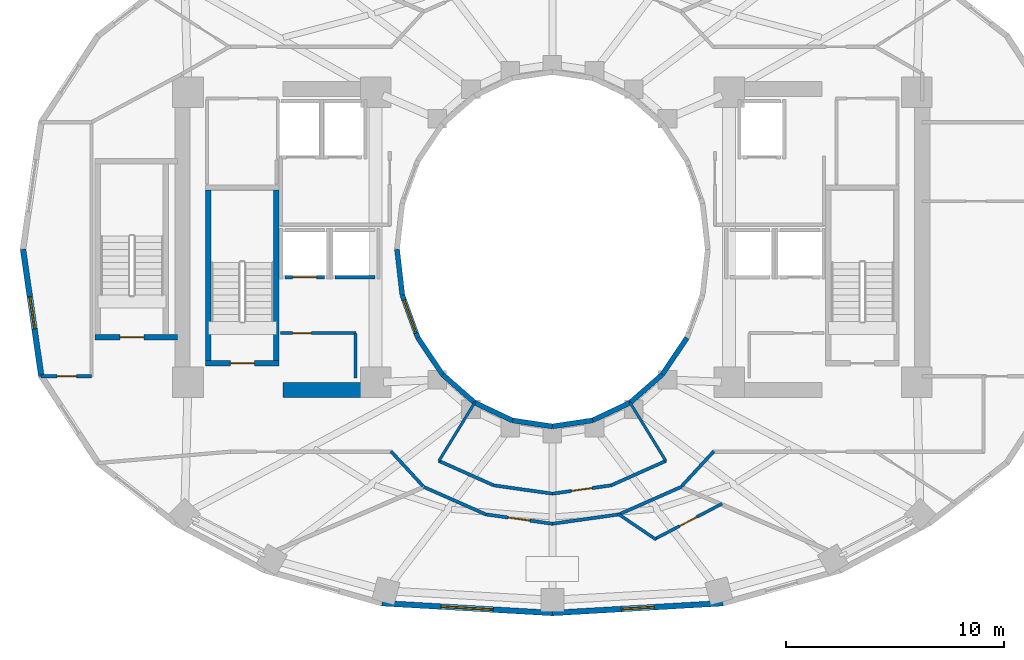
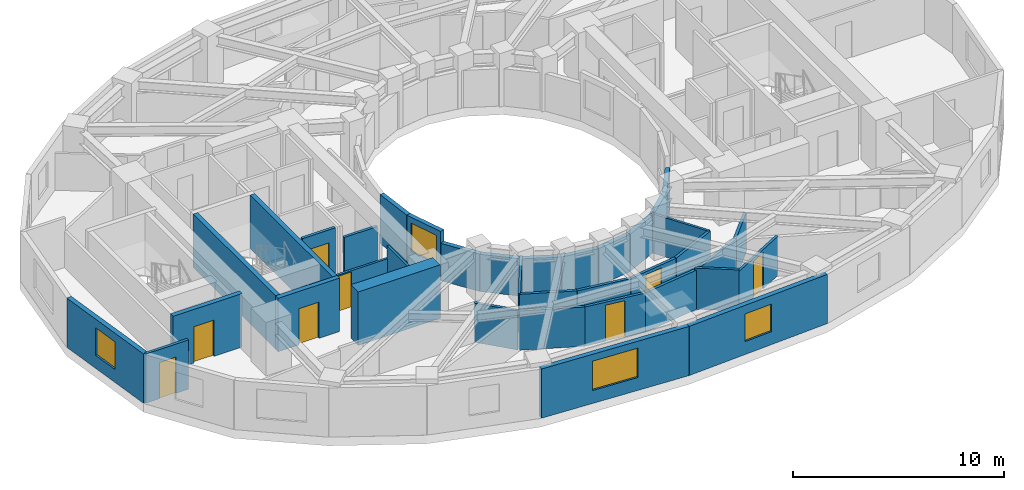
# One storey, part 3 of 9: 37 walls, 8 doors, 4 windows, 12 openings.
"""IFC4 building model written with IfcOpenShell, lengths in metres."""

from ifc_helpers import new_model, si_unit, direction, frame, frame_2d, origin, place, context, subcontext, project, spatial, rectangle, extrude, material, layer, layer_set, type_object, element, fill, save


model = new_model("IFC4")

# Units and contexts
model_context = context("Model", 3, precision=1e-05, world=origin(), true_north=direction((0.0, 1.0)))
body_context = subcontext(model_context, "Body", "Model", "MODEL_VIEW")
ifc_project = project(units=[si_unit("LENGTHUNIT", "METRE"), si_unit("AREAUNIT", "SQUARE_METRE"), si_unit("VOLUMEUNIT", "CUBIC_METRE"), si_unit("PLANEANGLEUNIT", "RADIAN"), si_unit("MASSUNIT", "GRAM", prefix="KILO")], contexts=[model_context])

# Site, building, storey
site_placement = place(None, origin())
site = spatial("IfcSite", under=ifc_project, at=site_placement, CompositionType="ELEMENT")
building_placement = place(site_placement, origin())
building = spatial("IfcBuilding", under=site, at=building_placement, Name="Solvane Sanctuary Tower", CompositionType="ELEMENT")
storey_placement = place(building_placement, frame((0.0, 0.0, 122.800048828125)))
storey = spatial("IfcBuildingStorey", under=building, at=storey_placement, Name="L37", CompositionType="ELEMENT", Elevation=122.800048828125)

# Wall
ifc_material_1 = material(Name="Concrete C60/75", Category="concrete")
ifc_layer_1 = layer(ifc_material_1, 0.699951171875, Name="Concrete C60/75")
ifc_layer_set_1 = layer_set([ifc_layer_1], Name="Concrete C60/75")
wall_type_1 = type_object("IfcWallType", Name="Wall W-CORE-700", PredefinedType="SHEAR", material=ifc_layer_set_1)
wall_1_placement = place(storey_placement, frame((19.64990234375, 16.550048828125, 0.0), z_axis=(0.0, 0.0, 1.0), x_axis=(1.0, 0.0, 0.0)))
element("IfcWall", 1, at=wall_1_placement, inside=storey, type_object=wall_type_1, Name="L37 Core Shear Wall WC-S", PredefinedType="SHEAR", context=body_context, shape_type="SweptSolid", body=[
    extrude(rectangle(XDim=4.5, YDim=0.699951171875, at=frame_2d((2.25, 0.0))), origin(), (0.0, 0.0, 1.0), 3.099853515625),
])

# Wall, opening, door
ifc_material_2 = material(Name="Acoustic Gypsum Partition Board")
ifc_layer_2 = layer(ifc_material_2, 0.14990234375, Name="Acoustic Gypsum Partition Board")
ifc_layer_set_2 = layer_set([ifc_layer_2], Name="Acoustic Gypsum Partition Board")
wall_type_2 = type_object("IfcWallType", Name="Wall W-CORR-150", PredefinedType="PARTITIONING", material=ifc_layer_set_2)
wall_2_placement = place(storey_placement, frame((8.558349609375, 17.1748046875, 0.0), z_axis=(0.0, 0.0, 1.0), x_axis=(1.0, 0.0, 0.0)))
wall_2 = element("IfcWall", 2, at=wall_2_placement, inside=storey, type_object=wall_type_2, Name="L37 West Shoulder South Wall", PredefinedType="PARTITIONING", context=body_context, shape_type="SweptSolid", body=[
    extrude(rectangle(XDim=2.321533203125, YDim=0.14990234375, at=frame_2d((1.16064453125, 0.0))), origin(), (0.0, 0.0, 1.0), 2.85498046875),
])
opening_1_placement = place(wall_2_placement, frame((0.739013671875, 0.0, 0.0)))
opening_1 = element("IfcOpeningElement", 3, at=opening_1_placement, cuts=wall_2, Name="Opening D-L37-12", PredefinedType="OPENING", context=body_context, shape_type="SweptSolid", body=[
    extrude(rectangle(XDim=0.89990234375, YDim=2.10009765625, at=frame_2d((0.449951171875, 1.050048828125))), frame((0.0, 0.0849609375, 0.0), z_axis=(0.0, -1.0, 0.0), x_axis=(1.0, 0.0, 0.0)), (0.0, 0.0, 1.0), 0.169921875),
])
ifc_material_3 = material(Name="Engineered Tropical Hardwood", Category="wood")
door_type_1 = type_object("IfcDoorType", Name="Door D-WET-900", OperationType="NOTDEFINED", PredefinedType="DOOR", material=ifc_material_3)
door_1_placement = place(opening_1_placement, origin())
door_1 = element("IfcDoor", 4, at=door_1_placement, inside=storey, type_object=door_type_1, Name="L37 West Shoulder South Door", OperationType="SINGLE_SWING_LEFT", OverallHeight=2.10009765625, OverallWidth=0.89990234375, PredefinedType="DOOR", context=body_context, shape_type="SweptSolid", body=[
    extrude(rectangle(XDim=0.89990234375, YDim=2.10009765625, at=frame_2d((0.449951171875, 1.050048828125))), frame((0.0, 0.02490234375, 0.0), z_axis=(0.0, -1.0, 0.0), x_axis=(1.0, 0.0, 0.0)), (0.0, 0.0, 1.0), 0.050048828125),
])
fill(opening_1, door_1)

# Walls
for number, where, z_axis, x_axis, name in (
    (5, (26.07177734375, 12.144287109375, 0.0), (0.0, 0.0, 1.0), (-0.677579737957, 0.735449317567, 0.0), "L37 SW Corner Throat Wall"),
    (6, (37.92822265625, 12.144287109375, 0.0), (0.0, 0.0, 1.0), (0.677579737957, 0.735449317567, 0.0), "L37 SE Corner Throat Wall"),
):
    element("IfcWall", number, at=place(storey_placement, frame(where, z_axis=z_axis, x_axis=x_axis)), inside=storey, type_object=wall_type_2, Name=name, PredefinedType="PARTITIONING", context=body_context, shape_type="SweptSolid", body=[
        extrude(rectangle(XDim=2.172607421875, YDim=0.14990234375, at=frame_2d((1.08642578125, 0.0))), origin(), (0.0, 0.0, 1.0), 2.27197265625),
    ])
wall_3_placement = place(storey_placement, frame((26.792724609375, 13.302734375, 0.0), z_axis=(0.0, 0.0, 1.0), x_axis=(0.913145536541, -0.407633694749, 0.0)))
element("IfcWall", 7, at=wall_3_placement, inside=storey, type_object=wall_type_2, Name="L37 Inner Light-Well Corridor Wall S1", PredefinedType="PARTITIONING", context=body_context, shape_type="SweptSolid", body=[
    extrude(rectangle(XDim=2.75634765625, YDim=0.14990234375, at=frame_2d((1.378173828125, 0.0))), origin(), (0.0, 0.0, 1.0), 2.27197265625),
])
wall_4_placement = place(storey_placement, frame((29.305908203125, 12.18017578125, 0.0), z_axis=(0.0, 0.0, 1.0), x_axis=(0.990104912094, -0.14032912402, 0.0)))
element("IfcWall", 8, at=wall_4_placement, inside=storey, type_object=wall_type_2, Name="L37 Inner Light-Well Corridor Wall S1", PredefinedType="PARTITIONING", context=body_context, shape_type="SweptSolid", body=[
    extrude(rectangle(XDim=2.72265625, YDim=0.14990234375, at=frame_2d((1.361328125, 0.0))), origin(), (0.0, 0.0, 1.0), 2.27197265625),
])

# Wall, opening, door
wall_5_placement = place(storey_placement, frame((31.998291015625, 11.798095703125, 0.0), z_axis=(0.0, 0.0, 1.0), x_axis=(0.990104912094, 0.14032912402, 0.0)))
wall_5 = element("IfcWall", 9, at=wall_5_placement, inside=storey, type_object=wall_type_2, Name="L37 Inner Light-Well Corridor Wall S1", PredefinedType="PARTITIONING", context=body_context, shape_type="SweptSolid", body=[
    extrude(rectangle(XDim=2.72265625, YDim=0.14990234375, at=frame_2d((1.361328125, 0.0))), origin(), (0.0, 0.0, 1.0), 2.27197265625),
])
opening_2_placement = place(wall_5_placement, frame((0.886474609375, 0.0, 0.0)))
opening_2 = element("IfcOpeningElement", 10, at=opening_2_placement, cuts=wall_5, Name="Opening D-L37-20", PredefinedType="OPENING", context=body_context, shape_type="SweptSolid", body=[
    extrude(rectangle(XDim=0.949951171875, YDim=2.10009765625, at=frame_2d((0.47509765625, 1.050048828125))), frame((0.0, 0.0849609375, 0.0), z_axis=(0.0, -1.0, 0.0), x_axis=(1.0, 0.0, 0.0)), (0.0, 0.0, 1.0), 0.169921875),
])
door_type_2 = type_object("IfcDoorType", Name="Door D-ROOM-950", OperationType="NOTDEFINED", PredefinedType="DOOR", material=ifc_material_3)
door_2_placement = place(opening_2_placement, origin())
door_2 = element("IfcDoor", 11, at=door_2_placement, inside=storey, type_object=door_type_2, Name="L37 Inner Light-Well Salon Door S1", OperationType="SINGLE_SWING_LEFT", OverallHeight=2.10009765625, OverallWidth=0.949951171875, PredefinedType="DOOR", context=body_context, shape_type="SweptSolid", body=[
    extrude(rectangle(XDim=0.949951171875, YDim=2.10009765625, at=frame_2d((0.47509765625, 1.050048828125))), frame((0.0, 0.02490234375, 0.0), z_axis=(0.0, -1.0, 0.0), x_axis=(1.0, 0.0, 0.0)), (0.0, 0.0, 1.0), 0.050048828125),
])
fill(opening_2, door_2)

# Walls
wall_6_placement = place(storey_placement, frame((34.6904296875, 12.17919921875, 0.0), z_axis=(0.0, 0.0, 1.0), x_axis=(0.913145536541, 0.407633694749, 0.0)))
element("IfcWall", 12, at=wall_6_placement, inside=storey, type_object=wall_type_2, Name="L37 Inner Light-Well Corridor Wall S1", PredefinedType="PARTITIONING", context=body_context, shape_type="SweptSolid", body=[
    extrude(rectangle(XDim=2.75634765625, YDim=0.14990234375, at=frame_2d((1.378173828125, 0.0))), origin(), (0.0, 0.0, 1.0), 2.27197265625),
])
wall_7_placement = place(storey_placement, frame((35.003662109375, 10.826416015625, 0.0), z_axis=(0.0, 0.0, 1.0), x_axis=(0.914532088467, 0.404513360922, 0.0)))
element("IfcWall", 13, at=wall_7_placement, inside=storey, type_object=wall_type_2, Name="L37 En-suite Inner Wall S1", PredefinedType="PARTITIONING", context=body_context, shape_type="SweptSolid", body=[
    extrude(rectangle(XDim=3.207275390625, YDim=0.14990234375, at=frame_2d((1.603515625, 0.0))), origin(), (0.0, 0.0, 1.0), 2.27197265625),
])
wall_8_placement = place(storey_placement, frame((26.101806640625, 12.108154296875, 0.0), z_axis=(0.0, 0.0, 1.0), x_axis=(0.914519212393, -0.40454247016, 0.0)))
element("IfcWall", 14, at=wall_8_placement, inside=storey, type_object=wall_type_2, Name="L37 Unit Corridor Wall S1", PredefinedType="PARTITIONING", context=body_context, shape_type="SweptSolid", body=[
    extrude(rectangle(XDim=3.123779296875, YDim=0.14990234375, at=frame_2d((1.56201171875, 0.0))), origin(), (0.0, 0.0, 1.0), 2.27197265625),
])

# Wall, opening, door
wall_9_placement = place(storey_placement, frame((28.942626953125, 10.84912109375, 0.0), z_axis=(0.0, 0.0, 1.0), x_axis=(0.990254709652, -0.13926812274, 0.0)))
wall_9 = element("IfcWall", 15, at=wall_9_placement, inside=storey, type_object=wall_type_2, Name="L37 Unit Corridor Wall S1", PredefinedType="PARTITIONING", context=body_context, shape_type="SweptSolid", body=[
    extrude(rectangle(XDim=3.095947265625, YDim=0.14990234375, at=frame_2d((1.5478515625, 0.0))), origin(), (0.0, 0.0, 1.0), 2.27197265625),
])
opening_3_placement = place(wall_9_placement, frame((1.0478515625, 0.0, 0.0)))
opening_3 = element("IfcOpeningElement", 16, at=opening_3_placement, cuts=wall_9, Name="Opening D-L37-26", PredefinedType="OPENING", context=body_context, shape_type="SweptSolid", body=[
    extrude(rectangle(XDim=1.0, YDim=2.10009765625, at=frame_2d((0.5, 1.050048828125))), frame((0.0, 0.0849609375, 0.0), z_axis=(0.0, -1.0, 0.0), x_axis=(1.0, 0.0, 0.0)), (0.0, 0.0, 1.0), 0.169921875),
])
door_type_3 = type_object("IfcDoorType", Name="Door D-UNIT", OperationType="NOTDEFINED", PredefinedType="DOOR", material=ifc_material_3)
door_3_placement = place(opening_3_placement, origin())
door_3 = element("IfcDoor", 17, at=door_3_placement, inside=storey, type_object=door_type_3, Name="L37 Unit Entrance Door S1", OperationType="SINGLE_SWING_LEFT", OverallHeight=2.10009765625, OverallWidth=1.0, PredefinedType="DOOR", context=body_context, shape_type="SweptSolid", body=[
    extrude(rectangle(XDim=1.0, YDim=2.10009765625, at=frame_2d((0.5, 1.050048828125))), frame((0.0, 0.02490234375, 0.0), z_axis=(0.0, -1.0, 0.0), x_axis=(1.0, 0.0, 0.0)), (0.0, 0.0, 1.0), 0.050048828125),
])
fill(opening_3, door_3)

# Wall
wall_10_placement = place(storey_placement, frame((31.99169921875, 10.41796875, 0.0), z_axis=(0.0, 0.0, 1.0), x_axis=(0.990254709652, 0.13926812274, 0.0)))
element("IfcWall", 18, at=wall_10_placement, inside=storey, type_object=wall_type_2, Name="L37 Unit Corridor Wall S1", PredefinedType="PARTITIONING", context=body_context, shape_type="SweptSolid", body=[
    extrude(rectangle(XDim=3.095947265625, YDim=0.14990234375, at=frame_2d((1.5478515625, 0.0))), origin(), (0.0, 0.0, 1.0), 2.27197265625),
])

# Wall, opening, window
ifc_material_4 = material(Name="Precast concrete C40/50", Category="concrete")
ifc_layer_3 = layer(ifc_material_4, 0.260009765625, Name="Precast concrete C40/50")
ifc_layer_set_3 = layer_set([ifc_layer_3], Name="Precast concrete C40/50")
wall_type_3 = type_object("IfcWallType", Name="Wall W-EXT-250", PredefinedType="STANDARD", material=ifc_layer_set_3)
wall_11_placement = place(storey_placement, frame((7.739990234375, 23.0, 0.0), z_axis=(0.0, 0.0, 1.0), x_axis=(0.142572472068, -0.98978436551, 0.0)))
wall_11 = element("IfcWall", 19, at=wall_11_placement, inside=storey, type_object=wall_type_3, Name="L37 Ceramic-Printed Facade Wall 12", PredefinedType="STANDARD", context=body_context, shape_type="SweptSolid", body=[
    extrude(rectangle(XDim=5.878662109375, YDim=0.260009765625, at=frame_2d((2.939453125, 0.0))), origin(), (0.0, 0.0, 1.0), 2.849853515625),
])
opening_4_placement = place(wall_11_placement, frame((2.189453125, 0.0, 0.75)))
opening_4 = element("IfcOpeningElement", 20, at=opening_4_placement, cuts=wall_11, Name="Opening WN-OPER-1500", PredefinedType="OPENING", context=body_context, shape_type="SweptSolid", body=[
    extrude(rectangle(XDim=1.5, YDim=1.60009765625, at=frame_2d((0.75, 0.800048828125))), frame((0.0, 0.139892578125, 0.0), z_axis=(0.0, -1.0, 0.0), x_axis=(1.0, 0.0, 0.0)), (0.0, 0.0, 1.0), 0.280029296875),
])
ifc_material_5 = material(Name="Dark Ceramic-Fritted Low-E Glass", Category="glass")
window_type_1 = type_object("IfcWindowType", Name="Window WN-OPER-1500", PartitioningType="SINGLE_PANEL", PredefinedType="WINDOW", material=ifc_material_5)
window_1_placement = place(opening_4_placement, origin())
window_1 = element("IfcWindow", 21, at=window_1_placement, inside=storey, type_object=window_type_1, Name="L37 Operable Facade Window 12", OverallHeight=1.60009765625, OverallWidth=1.5, PartitioningType="SINGLE_PANEL", PredefinedType="WINDOW", context=body_context, shape_type="SweptSolid", body=[
    extrude(rectangle(XDim=1.5, YDim=1.60009765625, at=frame_2d((0.75, 0.800048828125))), frame((0.0, 0.030029296875, 0.0), z_axis=(0.0, -1.0, 0.0), x_axis=(1.0, 0.0, 0.0)), (0.0, 0.0, 1.0), 0.06005859375),
])
fill(opening_4, window_1)

wall_12_placement = place(storey_placement, frame((24.18359375, 6.7783203125, 0.0), z_axis=(0.0, 0.0, 1.0), x_axis=(0.998352606703, -0.057376586592, 0.0)))
wall_12 = element("IfcWall", 22, at=wall_12_placement, inside=storey, type_object=wall_type_3, Name="L37 Ceramic-Printed Facade Wall 17", PredefinedType="STANDARD", context=body_context, shape_type="SweptSolid", body=[
    extrude(rectangle(XDim=7.829345703125, YDim=0.260009765625, at=frame_2d((3.91455078125, 0.0))), origin(), (0.0, 0.0, 1.0), 2.849853515625),
])
opening_5_placement = place(wall_12_placement, frame((2.714599609375, 0.0, 0.75)))
opening_5 = element("IfcOpeningElement", 23, at=opening_5_placement, cuts=wall_12, Name="Opening WN-RIB-2400", PredefinedType="OPENING", context=body_context, shape_type="SweptSolid", body=[
    extrude(rectangle(XDim=2.39990234375, YDim=1.699951171875, at=frame_2d((1.199951171875, 0.85009765625))), frame((0.0, 0.139892578125, 0.0), z_axis=(0.0, -1.0, 0.0), x_axis=(1.0, 0.0, 0.0)), (0.0, 0.0, 1.0), 0.280029296875),
])
window_type_2 = type_object("IfcWindowType", Name="Window WN-RIB-2400", PartitioningType="SINGLE_PANEL", PredefinedType="WINDOW", material=ifc_material_5)
window_2_placement = place(opening_5_placement, origin())
window_2 = element("IfcWindow", 24, at=window_2_placement, inside=storey, type_object=window_type_2, Name="L37 Operable Facade Window 17", OverallHeight=1.699951171875, OverallWidth=2.39990234375, PartitioningType="SINGLE_PANEL", PredefinedType="WINDOW", context=body_context, shape_type="SweptSolid", body=[
    extrude(rectangle(XDim=2.39990234375, YDim=1.699951171875, at=frame_2d((1.199951171875, 0.85009765625))), frame((0.0, 0.030029296875, 0.0), z_axis=(0.0, -1.0, 0.0), x_axis=(1.0, 0.0, 0.0)), (0.0, 0.0, 1.0), 0.06005859375),
])
fill(opening_5, window_2)

wall_13_placement = place(storey_placement, frame((32.0, 6.3291015625, 0.0), z_axis=(0.0, 0.0, 1.0), x_axis=(0.998352606703, 0.057376586592, 0.0)))
wall_13 = element("IfcWall", 25, at=wall_13_placement, inside=storey, type_object=wall_type_3, Name="L37 Ceramic-Printed Facade Wall 18", PredefinedType="STANDARD", context=body_context, shape_type="SweptSolid", body=[
    extrude(rectangle(XDim=7.829345703125, YDim=0.260009765625, at=frame_2d((3.91455078125, 0.0))), origin(), (0.0, 0.0, 1.0), 2.849853515625),
])
opening_6_placement = place(wall_13_placement, frame((3.16455078125, 0.0, 0.75)))
opening_6 = element("IfcOpeningElement", 26, at=opening_6_placement, cuts=wall_13, Name="Opening WN-OPER-1500", PredefinedType="OPENING", context=body_context, shape_type="SweptSolid", body=[
    extrude(rectangle(XDim=1.5, YDim=1.60009765625, at=frame_2d((0.75, 0.800048828125))), frame((0.0, 0.139892578125, 0.0), z_axis=(0.0, -1.0, 0.0), x_axis=(1.0, 0.0, 0.0)), (0.0, 0.0, 1.0), 0.280029296875),
])
window_3_placement = place(opening_6_placement, origin())
window_3 = element("IfcWindow", 27, at=window_3_placement, inside=storey, type_object=window_type_1, Name="L37 Operable Facade Window 18", OverallHeight=1.60009765625, OverallWidth=1.5, PartitioningType="SINGLE_PANEL", PredefinedType="WINDOW", context=body_context, shape_type="SweptSolid", body=[
    extrude(rectangle(XDim=1.5, YDim=1.60009765625, at=frame_2d((0.75, 0.800048828125))), frame((0.0, 0.030029296875, 0.0), z_axis=(0.0, -1.0, 0.0), x_axis=(1.0, 0.0, 0.0)), (0.0, 0.0, 1.0), 0.06005859375),
])
fill(opening_6, window_3)

# Wall
ifc_layer_4 = layer(ifc_material_4, 0.22998046875, Name="Precast concrete C40/50")
ifc_layer_set_4 = layer_set([ifc_layer_4], Name="Precast concrete C40/50")
wall_type_4 = type_object("IfcWallType", Name="Wall W-EXT-SP220", PredefinedType="STANDARD", material=ifc_layer_set_4)
wall_14_placement = place(storey_placement, frame((24.8798828125, 23.0, 0.0), z_axis=(0.0, 0.0, 1.0), x_axis=(0.114711713601, -0.993398823617, 0.0)))
element("IfcWall", 28, at=wall_14_placement, inside=storey, type_object=wall_type_4, Name="L37 Central Light-Well Wall 12", PredefinedType="STANDARD", context=body_context, shape_type="SweptSolid", body=[
    extrude(rectangle(XDim=2.115478515625, YDim=0.22998046875, at=frame_2d((1.0576171875, 0.0))), origin(), (0.0, 0.0, 1.0), 2.83984375),
])

# Wall, opening, window
wall_15_placement = place(storey_placement, frame((25.12255859375, 20.8984375, 0.0), z_axis=(0.0, 0.0, 1.0), x_axis=(0.341423187295, -0.93990968033, 0.0)))
wall_15 = element("IfcWall", 29, at=wall_15_placement, inside=storey, type_object=wall_type_4, Name="L37 Central Light-Well Wall 13", PredefinedType="STANDARD", context=body_context, shape_type="SweptSolid", body=[
    extrude(rectangle(XDim=2.083740234375, YDim=0.22998046875, at=frame_2d((1.0419921875, 0.0))), origin(), (0.0, 0.0, 1.0), 2.83984375),
])
opening_7_placement = place(wall_15_placement, frame((0.24169921875, 0.0, 0.85009765625)))
opening_7 = element("IfcOpeningElement", 30, at=opening_7_placement, cuts=wall_15, Name="Opening WN-WELL-1600", PredefinedType="OPENING", context=body_context, shape_type="SweptSolid", body=[
    extrude(rectangle(XDim=1.60009765625, YDim=1.64990234375, at=frame_2d((0.800048828125, 0.824951171875))), frame((0.0, 0.125, 0.0), z_axis=(0.0, -1.0, 0.0), x_axis=(1.0, 0.0, 0.0)), (0.0, 0.0, 1.0), 0.25),
])
ifc_material_6 = material(Name="Clear Laminated Light-Well Glass", Category="glass")
window_type_3 = type_object("IfcWindowType", Name="Window WN-WELL-1600", PartitioningType="SINGLE_PANEL", PredefinedType="WINDOW", material=ifc_material_6)
window_4_placement = place(opening_7_placement, origin())
window_4 = element("IfcWindow", 31, at=window_4_placement, inside=storey, type_object=window_type_3, Name="L37 Light-Well Daylight Window 13", OverallHeight=1.64990234375, OverallWidth=1.60009765625, PartitioningType="SINGLE_PANEL", PredefinedType="WINDOW", context=body_context, shape_type="SweptSolid", body=[
    extrude(rectangle(XDim=1.60009765625, YDim=1.64990234375, at=frame_2d((0.800048828125, 0.824951171875))), frame((0.0, 0.030029296875, 0.0), z_axis=(0.0, -1.0, 0.0), x_axis=(1.0, 0.0, 0.0)), (0.0, 0.0, 1.0), 0.06005859375),
])
fill(opening_7, window_4)

# Walls
wall_16_placement = place(storey_placement, frame((25.833984375, 18.93994140625, 0.0), z_axis=(0.0, 0.0, 1.0), x_axis=(0.558197800898, -0.829707909492, 0.0)))
element("IfcWall", 32, at=wall_16_placement, inside=storey, type_object=wall_type_4, Name="L37 Central Light-Well Wall 14", PredefinedType="STANDARD", context=body_context, shape_type="SweptSolid", body=[
    extrude(rectangle(XDim=2.02685546875, YDim=0.22998046875, at=frame_2d((1.013427734375, 0.0))), origin(), (0.0, 0.0, 1.0), 2.159912109375),
])
wall_17_placement = place(storey_placement, frame((26.96533203125, 17.25830078125, 0.0), z_axis=(0.0, 0.0, 1.0), x_axis=(0.752576694707, -0.658504607869, 0.0)))
element("IfcWall", 33, at=wall_17_placement, inside=storey, type_object=wall_type_4, Name="L37 Central Light-Well Wall 15", PredefinedType="STANDARD", context=body_context, shape_type="SweptSolid", body=[
    extrude(rectangle(XDim=1.95947265625, YDim=0.22998046875, at=frame_2d((0.979736328125, 0.0))), origin(), (0.0, 0.0, 1.0), 2.159912109375),
])
wall_18_placement = place(storey_placement, frame((28.43994140625, 15.968017578125, 0.0), z_axis=(0.0, 0.0, 1.0), x_axis=(0.904179699603, -0.427152280606, 0.0)))
element("IfcWall", 34, at=wall_18_placement, inside=storey, type_object=wall_type_4, Name="L37 Central Light-Well Wall 16", PredefinedType="STANDARD", context=body_context, shape_type="SweptSolid", body=[
    extrude(rectangle(XDim=1.899169921875, YDim=0.22998046875, at=frame_2d((0.94970703125, 0.0))), origin(), (0.0, 0.0, 1.0), 2.159912109375),
])
for number, where, z_axis, x_axis, name in (
    (35, (30.1572265625, 15.15673828125, 0.0), (0.0, 0.0, 1.0), (0.988901730308, -0.148571086668, 0.0), "L37 Central Light-Well Wall 17"),
    (36, (32.0, 14.8798828125, 0.0), (0.0, 0.0, 1.0), (0.988901730308, 0.148571086668, 0.0), "L37 Central Light-Well Wall 18"),
):
    element("IfcWall", number, at=place(storey_placement, frame(where, z_axis=z_axis, x_axis=x_axis)), inside=storey, type_object=wall_type_4, Name=name, PredefinedType="STANDARD", context=body_context, shape_type="SweptSolid", body=[
        extrude(rectangle(XDim=1.863525390625, YDim=0.22998046875, at=frame_2d((0.931640625, 0.0))), origin(), (0.0, 0.0, 1.0), 2.159912109375),
    ])
wall_19_placement = place(storey_placement, frame((33.8427734375, 15.15673828125, 0.0), z_axis=(0.0, 0.0, 1.0), x_axis=(0.904179699603, 0.427152280606, 0.0)))
element("IfcWall", 37, at=wall_19_placement, inside=storey, type_object=wall_type_4, Name="L37 Central Light-Well Wall 19", PredefinedType="STANDARD", context=body_context, shape_type="SweptSolid", body=[
    extrude(rectangle(XDim=1.899169921875, YDim=0.22998046875, at=frame_2d((0.94970703125, 0.0))), origin(), (0.0, 0.0, 1.0), 2.159912109375),
])
wall_20_placement = place(storey_placement, frame((35.56005859375, 15.968017578125, 0.0), z_axis=(0.0, 0.0, 1.0), x_axis=(0.752576694707, 0.658504607869, 0.0)))
element("IfcWall", 38, at=wall_20_placement, inside=storey, type_object=wall_type_4, Name="L37 Central Light-Well Wall 20", PredefinedType="STANDARD", context=body_context, shape_type="SweptSolid", body=[
    extrude(rectangle(XDim=1.95947265625, YDim=0.22998046875, at=frame_2d((0.979736328125, 0.0))), origin(), (0.0, 0.0, 1.0), 2.159912109375),
])
wall_21_placement = place(storey_placement, frame((37.03466796875, 17.25830078125, 0.0), z_axis=(0.0, 0.0, 1.0), x_axis=(0.558197800898, 0.829707909492, 0.0)))
element("IfcWall", 39, at=wall_21_placement, inside=storey, type_object=wall_type_4, Name="L37 Central Light-Well Wall 21", PredefinedType="STANDARD", context=body_context, shape_type="SweptSolid", body=[
    extrude(rectangle(XDim=2.02685546875, YDim=0.22998046875, at=frame_2d((1.013427734375, 0.0))), origin(), (0.0, 0.0, 1.0), 2.159912109375),
])

# Wall, opening, door
ifc_layer_5 = layer(ifc_material_2, 0.125, Name="Acoustic Gypsum Partition Board")
ifc_layer_set_5 = layer_set([ifc_layer_5], Name="Acoustic Gypsum Partition Board")
wall_type_5 = type_object("IfcWallType", Name="Wall W-PART-125", PredefinedType="PARTITIONING", material=ifc_layer_set_5)
wall_22_placement = place(storey_placement, frame((19.550048828125, 19.159912109375, 0.0), z_axis=(0.0, 0.0, 1.0), x_axis=(1.0, 0.0, 0.0)))
wall_22 = element("IfcWall", 40, at=wall_22_placement, inside=storey, type_object=wall_type_5, Name="L37 Reclaimed Room Partition PLW", PredefinedType="PARTITIONING", context=body_context, shape_type="SweptSolid", body=[
    extrude(rectangle(XDim=3.449951171875, YDim=0.125, at=frame_2d((1.72509765625, 0.0))), origin(), (0.0, 0.0, 1.0), 2.119873046875),
])
opening_8_placement = place(wall_22_placement, frame((0.550048828125, 0.0, 0.0)))
opening_8 = element("IfcOpeningElement", 41, at=opening_8_placement, cuts=wall_22, Name="Opening D-L37-06", PredefinedType="OPENING", context=body_context, shape_type="SweptSolid", body=[
    extrude(rectangle(XDim=0.85009765625, YDim=2.050048828125, at=frame_2d((0.425048828125, 1.02490234375))), frame((0.0, 0.072509765625, 0.0), z_axis=(0.0, -1.0, 0.0), x_axis=(1.0, 0.0, 0.0)), (0.0, 0.0, 1.0), 0.14501953125),
])
ifc_material_7 = material(Name="Architectural Stainless Steel 316", Category="steel")
door_type_4 = type_object("IfcDoorType", Name="Door D-RISER", OperationType="NOTDEFINED", PredefinedType="DOOR", material=ifc_material_7)
door_4_placement = place(opening_8_placement, origin())
door_4 = element("IfcDoor", 42, at=door_4_placement, inside=storey, type_object=door_type_4, Name="L37 Reclaimed Room Door PLW-1", OperationType="SINGLE_SWING_LEFT", OverallHeight=2.050048828125, OverallWidth=0.85009765625, PredefinedType="DOOR", context=body_context, shape_type="SweptSolid", body=[
    extrude(rectangle(XDim=0.85009765625, YDim=2.050048828125, at=frame_2d((0.425048828125, 1.02490234375))), frame((0.0, 0.02490234375, 0.0), z_axis=(0.0, -1.0, 0.0), x_axis=(1.0, 0.0, 0.0)), (0.0, 0.0, 1.0), 0.050048828125),
])
fill(opening_8, door_4)

# Walls
wall_23_placement = place(storey_placement, frame((22.97998046875, 17.10009765625, 0.0), z_axis=(0.0, 0.0, 1.0), x_axis=(0.0, 1.0, 0.0)))
element("IfcWall", 43, at=wall_23_placement, inside=storey, type_object=wall_type_5, Name="L37 Reclaimed Room Closer Wall PLW-1", PredefinedType="PARTITIONING", context=body_context, shape_type="SweptSolid", body=[
    extrude(rectangle(XDim=2.039794921875, YDim=0.125, at=frame_2d((1.02001953125, 0.0))), origin(), (0.0, 0.0, 1.0), 2.85498046875),
])
for number, where, z_axis, x_axis, name in (
    (44, (28.449951171875, 15.985107421875, 0.0), (0.0, 0.0, 1.0), (-0.523587550846, -0.851971875474, 0.0), "L37 Inner Light-Well Radial Wall 240"),
    (45, (35.550048828125, 15.985107421875, 0.0), (0.0, 0.0, 1.0), (0.523587550846, -0.851971875474, 0.0), "L37 Inner Light-Well Radial Wall 300"),
):
    element("IfcWall", number, at=place(storey_placement, frame(where, z_axis=z_axis, x_axis=x_axis)), inside=storey, type_object=wall_type_5, Name=name, PredefinedType="PARTITIONING", context=body_context, shape_type="SweptSolid", body=[
        extrude(rectangle(XDim=3.153076171875, YDim=0.125, at=frame_2d((1.57666015625, 0.0))), origin(), (0.0, 0.0, 1.0), 2.27197265625),
    ])

# Wall, opening, door
ifc_material_8 = material(Name="Concrete C50/60", Category="concrete")
ifc_layer_6 = layer(ifc_material_8, 0.14990234375, Name="Concrete C50/60")
ifc_layer_set_6 = layer_set([ifc_layer_6], Name="Concrete C50/60")
wall_type_6 = type_object("IfcWallType", Name="Wall W-SHAFT-150", PredefinedType="SOLIDWALL", material=ifc_layer_set_6)
wall_24_placement = place(storey_placement, frame((19.739990234375, 21.719970703125, 0.0), z_axis=(0.0, 0.0, 1.0), x_axis=(1.0, 0.0, 0.0)))
wall_24 = element("IfcWall", 46, at=wall_24_placement, inside=storey, type_object=wall_type_6, Name="L37 PM-1 Lift Shaft Wall F", PredefinedType="SOLIDWALL", context=body_context, shape_type="SweptSolid", body=[
    extrude(rectangle(XDim=1.820068359375, YDim=0.14990234375, at=frame_2d((0.91015625, 0.0))), origin(), (0.0, 0.0, 1.0), 2.85498046875),
])
opening_9_placement = place(wall_24_placement, frame((0.360107421875, 0.0, 0.0)))
opening_9 = element("IfcOpeningElement", 47, at=opening_9_placement, cuts=wall_24, Name="Opening LD-L37-01", PredefinedType="OPENING", context=body_context, shape_type="SweptSolid", body=[
    extrude(rectangle(XDim=1.10009765625, YDim=2.10009765625, at=frame_2d((0.550048828125, 1.050048828125))), frame((0.0, 0.0849609375, 0.0), z_axis=(0.0, -1.0, 0.0), x_axis=(1.0, 0.0, 0.0)), (0.0, 0.0, 1.0), 0.169921875),
])
door_type_5 = type_object("IfcDoorType", Name="Door LD-PASS-1100", OperationType="NOTDEFINED", PredefinedType="DOOR", material=ifc_material_7)
door_5_placement = place(opening_9_placement, origin())
door_5 = element("IfcDoor", 48, at=door_5_placement, inside=storey, type_object=door_type_5, Name="L37 PM-1 Lift Landing Door", OperationType="DOUBLE_DOOR_SLIDING", OverallHeight=2.10009765625, OverallWidth=1.10009765625, PredefinedType="DOOR", context=body_context, shape_type="SweptSolid", body=[
    extrude(rectangle(XDim=1.10009765625, YDim=2.10009765625, at=frame_2d((0.550048828125, 1.050048828125))), frame((0.0, 0.02490234375, 0.0), z_axis=(0.0, -1.0, 0.0), x_axis=(1.0, 0.0, 0.0)), (0.0, 0.0, 1.0), 0.050048828125),
])
fill(opening_9, door_5)

# Wall
wall_25_placement = place(storey_placement, frame((22.0400390625, 21.719970703125, 0.0), z_axis=(0.0, 0.0, 1.0), x_axis=(1.0, 0.0, 0.0)))
element("IfcWall", 49, at=wall_25_placement, inside=storey, type_object=wall_type_6, Name="L37 PH-1 Lift Shaft Wall F", PredefinedType="SOLIDWALL", context=body_context, shape_type="SweptSolid", body=[
    extrude(rectangle(XDim=1.820068359375, YDim=0.14990234375, at=frame_2d((0.91015625, 0.0))), origin(), (0.0, 0.0, 1.0), 2.119873046875),
])

# Wall, opening, door
ifc_layer_7 = layer(ifc_material_8, 0.25, Name="Concrete C50/60")
ifc_layer_set_7 = layer_set([ifc_layer_7], Name="Concrete C50/60")
wall_type_7 = type_object("IfcWallType", Name="Wall W-SHAFT-250", PredefinedType="SOLIDWALL", material=ifc_layer_set_7)
wall_26_placement = place(storey_placement, frame((16.10498046875, 17.77001953125, 0.0), z_axis=(0.0, 0.0, 1.0), x_axis=(1.0, 0.0, 0.0)))
wall_26 = element("IfcWall", 50, at=wall_26_placement, inside=storey, type_object=wall_type_7, Name="L37 ST-1 Load-Bearing Shaft Wall S", PredefinedType="SOLIDWALL", context=body_context, shape_type="SweptSolid", body=[
    extrude(rectangle(XDim=3.3701171875, YDim=0.25, at=frame_2d((1.68505859375, 0.0))), origin(), (0.0, 0.0, 1.0), 3.099853515625),
])
opening_10_placement = place(wall_26_placement, frame((1.135009765625, 0.0, 0.0)))
opening_10 = element("IfcOpeningElement", 51, at=opening_10_placement, cuts=wall_26, Name="Opening D-L37-01", PredefinedType="OPENING", context=body_context, shape_type="SweptSolid", body=[
    extrude(rectangle(XDim=1.10009765625, YDim=2.10009765625, at=frame_2d((0.550048828125, 1.050048828125))), frame((0.0, 0.135009765625, 0.0), z_axis=(0.0, -1.0, 0.0), x_axis=(1.0, 0.0, 0.0)), (0.0, 0.0, 1.0), 0.27001953125),
])
door_type_6 = type_object("IfcDoorType", Name="Door D-STAIR", OperationType="NOTDEFINED", PredefinedType="DOOR", material=ifc_material_7)
door_6_placement = place(opening_10_placement, origin())
door_6 = element("IfcDoor", 52, at=door_6_placement, inside=storey, type_object=door_type_6, Name="L37 ST-1 Exit Stair Fire Door", OperationType="SINGLE_SWING_LEFT", OverallHeight=2.10009765625, OverallWidth=1.10009765625, PredefinedType="DOOR", context=body_context, shape_type="SweptSolid", body=[
    extrude(rectangle(XDim=1.10009765625, YDim=2.10009765625, at=frame_2d((0.550048828125, 1.050048828125))), frame((0.0, 0.02490234375, 0.0), z_axis=(0.0, -1.0, 0.0), x_axis=(1.0, 0.0, 0.0)), (0.0, 0.0, 1.0), 0.050048828125),
])
fill(opening_10, door_6)

# Walls
for number, where, z_axis, x_axis, name in (
    (53, (16.22998046875, 17.89501953125, 0.0), (0.0, 0.0, 1.0), (0.0, 1.0, 0.0), "L37 ST-1 Load-Bearing Shaft Wall W"),
    (54, (19.35009765625, 17.89501953125, 0.0), (0.0, 0.0, 1.0), (0.0, 1.0, 0.0), "L37 ST-1 Load-Bearing Shaft Wall E"),
):
    element("IfcWall", number, at=place(storey_placement, frame(where, z_axis=z_axis, x_axis=x_axis)), inside=storey, type_object=wall_type_7, Name=name, PredefinedType="SOLIDWALL", context=body_context, shape_type="SweptSolid", body=[
        extrude(rectangle(XDim=7.81005859375, YDim=0.25, at=frame_2d((3.905029296875, 0.0))), origin(), (0.0, 0.0, 1.0), 3.099853515625),
    ])

# Wall, opening, door
wall_27_placement = place(storey_placement, frame((11.044921875, 18.969970703125, 0.0), z_axis=(0.0, 0.0, 1.0), x_axis=(1.0, 0.0, 0.0)))
wall_27 = element("IfcWall", 55, at=wall_27_placement, inside=storey, type_object=wall_type_7, Name="L37 ST-3 Load-Bearing Shaft Wall S", PredefinedType="SOLIDWALL", context=body_context, shape_type="SweptSolid", body=[
    extrude(rectangle(XDim=3.781982421875, YDim=0.25, at=frame_2d((1.89111328125, 0.0))), origin(), (0.0, 0.0, 1.0), 3.099853515625),
])
opening_11_placement = place(wall_27_placement, frame((1.135009765625, 0.0, 0.0)))
opening_11 = element("IfcOpeningElement", 56, at=opening_11_placement, cuts=wall_27, Name="Opening D-L37-03", PredefinedType="OPENING", context=body_context, shape_type="SweptSolid", body=[
    extrude(rectangle(XDim=1.10009765625, YDim=2.10009765625, at=frame_2d((0.550048828125, 1.050048828125))), frame((0.0, 0.135009765625, 0.0), z_axis=(0.0, -1.0, 0.0), x_axis=(1.0, 0.0, 0.0)), (0.0, 0.0, 1.0), 0.27001953125),
])
door_7_placement = place(opening_11_placement, origin())
door_7 = element("IfcDoor", 57, at=door_7_placement, inside=storey, type_object=door_type_6, Name="L37 ST-3 Exit Stair Fire Door", OperationType="SINGLE_SWING_LEFT", OverallHeight=2.10009765625, OverallWidth=1.10009765625, PredefinedType="DOOR", context=body_context, shape_type="SweptSolid", body=[
    extrude(rectangle(XDim=1.10009765625, YDim=2.10009765625, at=frame_2d((0.550048828125, 1.050048828125))), frame((0.0, 0.02490234375, 0.0), z_axis=(0.0, -1.0, 0.0), x_axis=(1.0, 0.0, 0.0)), (0.0, 0.0, 1.0), 0.050048828125),
])
fill(opening_11, door_7)

# Wall
ifc_layer_8 = layer(ifc_material_2, 0.139892578125, Name="Acoustic Gypsum Partition Board")
ifc_layer_set_8 = layer_set([ifc_layer_8], Name="Acoustic Gypsum Partition Board")
wall_type_8 = type_object("IfcWallType", Name="Wall W-WET-140", PredefinedType="PLUMBINGWALL", material=ifc_layer_set_8)
wall_28_placement = place(storey_placement, frame((35.008056640625, 10.874755859375, 0.0), z_axis=(0.0, 0.0, 1.0), x_axis=(0.828185016676, -0.560454795816, 0.0)))
element("IfcWall", 58, at=wall_28_placement, inside=storey, type_object=wall_type_8, Name="L37 En-suite Side Partition S1", PredefinedType="PLUMBINGWALL", context=body_context, shape_type="SweptSolid", body=[
    extrude(rectangle(XDim=2.10009765625, YDim=0.139892578125, at=frame_2d((1.050048828125, 0.0))), origin(), (0.0, 0.0, 1.0), 2.385009765625),
])

# Wall, opening, door
wall_29_placement = place(storey_placement, frame((36.66162109375, 9.702392578125, 0.0), z_axis=(0.0, 0.0, 1.0), x_axis=(0.885186269005, 0.465236788276, 0.0)))
wall_29 = element("IfcWall", 59, at=wall_29_placement, inside=storey, type_object=wall_type_8, Name="L37 En-suite Bedroom Wall S1", PredefinedType="PLUMBINGWALL", context=body_context, shape_type="SweptSolid", body=[
    extrude(rectangle(XDim=3.514892578125, YDim=0.139892578125, at=frame_2d((1.75732421875, 0.0))), origin(), (0.0, 0.0, 1.0), 2.27197265625),
])
opening_12_placement = place(wall_29_placement, frame((1.3076171875, 0.0, 0.0)))
opening_12 = element("IfcOpeningElement", 60, at=opening_12_placement, cuts=wall_29, Name="Opening D-L37-25", PredefinedType="OPENING", context=body_context, shape_type="SweptSolid", body=[
    extrude(rectangle(XDim=0.89990234375, YDim=2.10009765625, at=frame_2d((0.449951171875, 1.050048828125))), frame((0.0, 0.079833984375, 0.0), z_axis=(0.0, -1.0, 0.0), x_axis=(1.0, 0.0, 0.0)), (0.0, 0.0, 1.0), 0.159912109375),
])
door_8_placement = place(opening_12_placement, origin())
door_8 = element("IfcDoor", 61, at=door_8_placement, inside=storey, type_object=door_type_1, Name="L37 En-suite Bathroom Door S1", OperationType="SINGLE_SWING_RIGHT", OverallHeight=2.10009765625, OverallWidth=0.89990234375, PredefinedType="DOOR", context=body_context, shape_type="SweptSolid", body=[
    extrude(rectangle(XDim=0.89990234375, YDim=2.10009765625, at=frame_2d((0.449951171875, 1.050048828125))), frame((0.0, 0.02490234375, 0.0), z_axis=(0.0, -1.0, 0.0), x_axis=(1.0, 0.0, 0.0)), (0.0, 0.0, 1.0), 0.050048828125),
])
fill(opening_12, door_8)

save(model, "model.ifc")
